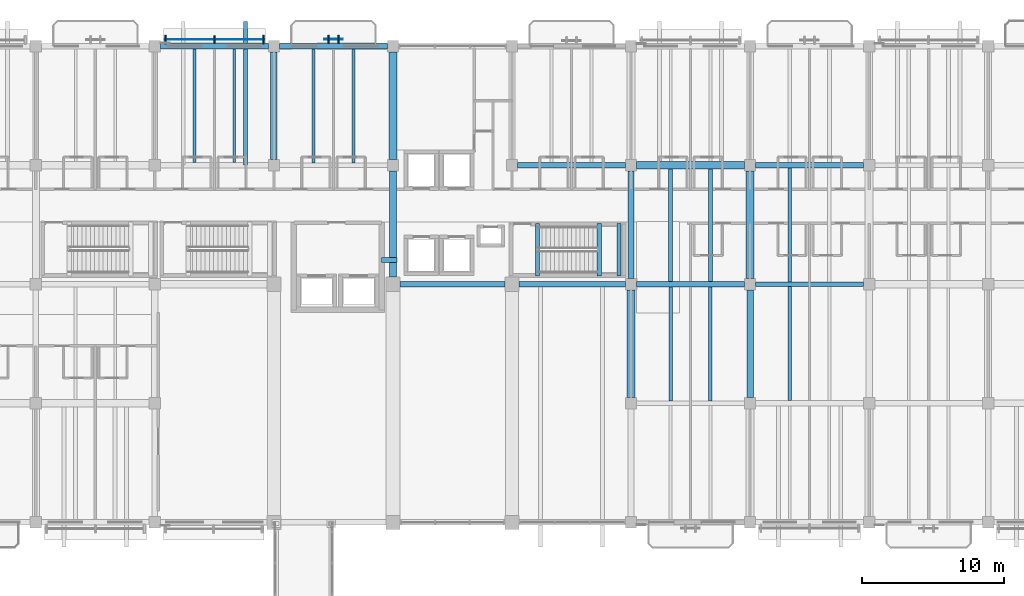
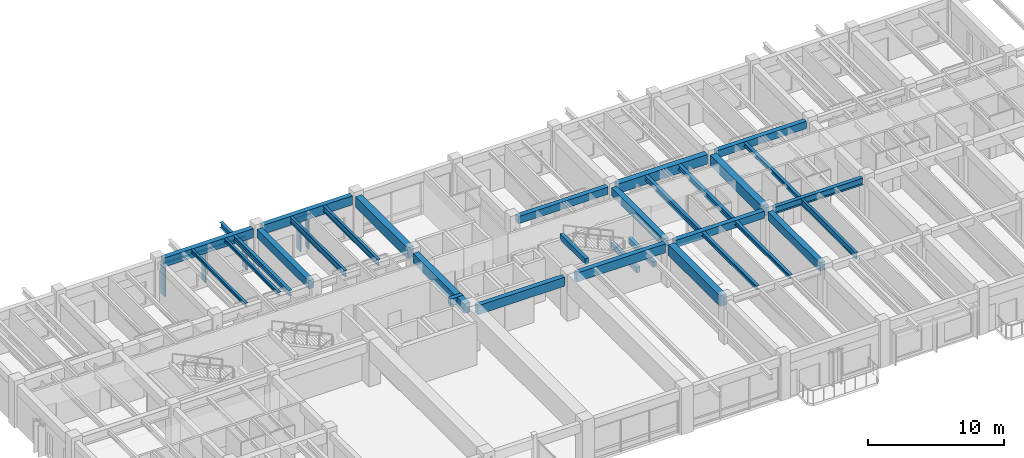
# One storey, part 44 of 132: 31 beams, 7 members, 2 elements without a shape of their own.
"""IFC4 building model written with IfcOpenShell, lengths in metres."""

from ifc_helpers import new_model, si_unit, direction, frame, origin, origin_2d, place, context, subcontext, project, spatial, rectangle, i_section, extrude, material, material_profile, profile_set, type_object, element, aggregate, save


model = new_model("IFC4")

# Units and contexts
model_context = context("Model", 3, precision=1e-05, world=origin(), true_north=direction((0.0, 1.0)))
body_context = subcontext(model_context, "Body", "Model", "MODEL_VIEW")
ifc_project = project(units=[si_unit("LENGTHUNIT", "METRE"), si_unit("AREAUNIT", "SQUARE_METRE"), si_unit("VOLUMEUNIT", "CUBIC_METRE"), si_unit("PLANEANGLEUNIT", "RADIAN"), si_unit("MASSUNIT", "GRAM", prefix="KILO")], contexts=[model_context])

# Site, building, storey
site_placement = place(None, origin())
site = spatial("IfcSite", under=ifc_project, at=site_placement, CompositionType="ELEMENT")
building_placement = place(site_placement, origin())
building = spatial("IfcBuilding", under=site, at=building_placement, Name="Cumbredor Promenade Congress Hotel", CompositionType="ELEMENT")
storey_placement = place(building_placement, frame((0.0, 0.0, 7.56005859375)))
storey = spatial("IfcBuildingStorey", under=building, at=storey_placement, Name="L02", CompositionType="ELEMENT", Elevation=7.56005859375)

# Beams
ifc_material_1 = material(Name="Concrete C40/50", Category="concrete")
ifc_material_profile_1 = material_profile(ifc_material_1, rectangle(XDim=0.39990234375, YDim=0.64990234375, at=origin_2d()), Name="RC BEAM 400x650")
ifc_profile_set_1 = profile_set([ifc_material_profile_1], Name="Concrete C40/50")
beam_type_1 = type_object("IfcBeamType", Name="BM-RC-400x650", PredefinedType="BEAM", material=ifc_profile_set_1)
beam_1_placement = place(storey_placement, frame((42.39990234375, 109.199951171875, 3.474853515625), z_axis=(1.0, 0.0, 0.0), x_axis=(0.0, 1.0, 0.0)))
element("IfcBeam", 1, at=beam_1_placement, inside=storey, type_object=beam_type_1, Name="L03 X-Grid Beam 076", PredefinedType="BEAM", context=body_context, shape_type="SweptSolid", body=[
    extrude(rectangle(XDim=0.39990234375, YDim=0.64990234375, at=origin_2d()), origin(), (0.0, 0.0, 1.0), 7.60009765625),
])
beam_2_placement = place(storey_placement, frame((50.800048828125, 100.800048828125, 3.474853515625), z_axis=(1.0, 0.0, 0.0), x_axis=(0.0, 1.0, 0.0)))
element("IfcBeam", 2, at=beam_2_placement, inside=storey, type_object=beam_type_1, Name="L03 X-Grid Beam 088", PredefinedType="BEAM", context=body_context, shape_type="SweptSolid", body=[
    extrude(rectangle(XDim=0.39990234375, YDim=0.64990234375, at=origin_2d()), origin(), (0.0, 0.0, 1.0), 7.599853515625),
])
beam_3_placement = place(storey_placement, frame((59.199951171875, 109.199951171875, 3.474853515625), z_axis=(1.0, 0.0, 0.0), x_axis=(0.0, 1.0, 0.0)))
element("IfcBeam", 3, at=beam_3_placement, inside=storey, type_object=beam_type_1, Name="L03 X-Grid Beam 112", PredefinedType="BEAM", context=body_context, shape_type="SweptSolid", body=[
    extrude(rectangle(XDim=0.39990234375, YDim=0.64990234375, at=origin_2d()), origin(), (0.0, 0.0, 1.0), 7.60009765625),
])
ifc_material_profile_2 = material_profile(ifc_material_1, rectangle(XDim=0.449951171875, YDim=0.75, at=origin_2d()), Name="RC BEAM 450x750")
ifc_profile_set_2 = profile_set([ifc_material_profile_2], Name="Concrete C40/50")
beam_type_2 = type_object("IfcBeamType", Name="BM-RC-450x750", PredefinedType="BEAM", material=ifc_profile_set_2)
beam_4_placement = place(storey_placement, frame((25.199951171875, 109.60009765625, 3.425048828125), z_axis=(0.0, 1.0, 0.0), x_axis=(-1.0, 0.0, 0.0)))
element("IfcBeam", 4, at=beam_4_placement, inside=storey, type_object=beam_type_2, Name="L03 Y-Grid Beam 057", PredefinedType="BEAM", context=body_context, shape_type="SweptSolid", body=[
    extrude(rectangle(XDim=0.449951171875, YDim=0.75, at=origin_2d()), origin(), (0.0, 0.0, 1.0), 7.599853515625),
])
beam_5_placement = place(storey_placement, frame((50.39990234375, 101.199951171875, 3.425048828125), z_axis=(0.0, 1.0, 0.0), x_axis=(-1.0, 0.0, 0.0)))
element("IfcBeam", 5, at=beam_5_placement, inside=storey, type_object=beam_type_2, Name="L03 Y-Grid Beam 089", PredefinedType="BEAM", context=body_context, shape_type="SweptSolid", body=[
    extrude(rectangle(XDim=0.449951171875, YDim=0.75, at=origin_2d()), origin(), (0.0, 0.0, 1.0), 7.60009765625),
])
beam_6_placement = place(storey_placement, frame((58.800048828125, 92.800048828125, 3.425048828125), z_axis=(0.0, 1.0, 0.0), x_axis=(-1.0, 0.0, 0.0)))
element("IfcBeam", 6, at=beam_6_placement, inside=storey, type_object=beam_type_2, Name="L03 Y-Grid Beam 109", PredefinedType="BEAM", context=body_context, shape_type="SweptSolid", body=[
    extrude(rectangle(XDim=0.449951171875, YDim=0.75, at=origin_2d()), origin(), (0.0, 0.0, 1.0), 7.599853515625),
])
ifc_material_profile_3 = material_profile(ifc_material_1, rectangle(XDim=0.5, YDim=0.85009765625, at=origin_2d()), Name="RC BEAM 500x850")
ifc_profile_set_3 = profile_set([ifc_material_profile_3], Name="Concrete C40/50")
beam_type_3 = type_object("IfcBeamType", Name="BM-RC-500x850", PredefinedType="BEAM", material=ifc_profile_set_3)
beam_7_placement = place(storey_placement, frame((33.60009765625, 101.300048828125, 3.375), z_axis=(0.0, 1.0, 0.0), x_axis=(-1.0, 0.0, 0.0)))
element("IfcBeam", 7, at=beam_7_placement, inside=storey, type_object=beam_type_3, Name="L03 Y-Grid Beam 066", PredefinedType="BEAM", context=body_context, shape_type="SweptSolid", body=[
    extrude(rectangle(XDim=0.5, YDim=0.85009765625, at=origin_2d()), origin(), (0.0, 0.0, 1.0), 7.5),
])
beam_8_placement = place(storey_placement, frame((50.800048828125, 109.199951171875, 3.375), z_axis=(1.0, 0.0, 0.0), x_axis=(0.0, 1.0, 0.0)))
element("IfcBeam", 8, at=beam_8_placement, inside=storey, type_object=beam_type_3, Name="L03 X-Grid Beam 090", PredefinedType="BEAM", context=body_context, shape_type="SweptSolid", body=[
    extrude(rectangle(XDim=0.5, YDim=0.85009765625, at=origin_2d()), origin(), (0.0, 0.0, 1.0), 7.599853515625),
])
ifc_material_profile_4 = material_profile(ifc_material_1, rectangle(XDim=0.550048828125, YDim=0.949951171875, at=origin_2d()), Name="RC BEAM 550x950")
ifc_profile_set_4 = profile_set([ifc_material_profile_4], Name="Concrete C40/50")
beam_type_4 = type_object("IfcBeamType", Name="BM-RC-550x950", PredefinedType="BEAM", material=ifc_profile_set_4)
for number, where, z_axis, x_axis, name in (
    (9, (33.60009765625, 109.60009765625, 3.324951171875), (0.0, 1.0, 0.0), (-1.0, 0.0, 0.0), "L03 Y-Grid Beam 067"),
    (10, (50.39990234375, 92.800048828125, 3.324951171875), (0.0, 1.0, 0.0), (-1.0, 0.0, 0.0), "L03 Y-Grid Beam 087"),
):
    element("IfcBeam", number, at=place(storey_placement, frame(where, z_axis=z_axis, x_axis=x_axis)), inside=storey, type_object=beam_type_4, Name=name, PredefinedType="BEAM", context=body_context, shape_type="SweptSolid", body=[
        extrude(rectangle(XDim=0.550048828125, YDim=0.949951171875, at=origin_2d()), origin(), (0.0, 0.0, 1.0), 7.599853515625),
    ])
beam_9_placement = place(storey_placement, frame((58.800048828125, 101.199951171875, 3.324951171875), z_axis=(0.0, 1.0, 0.0), x_axis=(-1.0, 0.0, 0.0)))
element("IfcBeam", 11, at=beam_9_placement, inside=storey, type_object=beam_type_4, Name="L03 Y-Grid Beam 111", PredefinedType="BEAM", context=body_context, shape_type="SweptSolid", body=[
    extrude(rectangle(XDim=0.550048828125, YDim=0.949951171875, at=origin_2d()), origin(), (0.0, 0.0, 1.0), 7.60009765625),
])
ifc_material_2 = material(Name="Steel ASTM A992 Grade 50", Category="steel")
ifc_material_profile_5 = material_profile(ifc_material_2, i_section(OverallWidth=0.323974609375, OverallDepth=0.611083984375, WebThickness=0.0126953125, FlangeThickness=0.01904296875, at=origin_2d()), Name="W24X104")
ifc_profile_set_5 = profile_set([ifc_material_profile_5], Name="Steel ASTM A992 Grade 50")
beam_type_5 = type_object("IfcBeamType", Name="BM-W24X104", PredefinedType="BEAM", material=ifc_profile_set_5)
beam_10_placement = place(storey_placement, frame((59.199951171875, 100.800048828125, 3.494384765625), z_axis=(1.0, 0.0, 0.0), x_axis=(0.0, 1.0, 0.0)))
element("IfcBeam", 12, at=beam_10_placement, inside=storey, type_object=beam_type_5, Name="L03 X-Grid Beam 110", PredefinedType="BEAM", context=body_context, shape_type="SweptSolid", body=[
    extrude(i_section(OverallWidth=0.323974609375, OverallDepth=0.611083984375, WebThickness=0.0126953125, FlangeThickness=0.01904296875, at=origin_2d()), origin(), (0.0, 0.0, 1.0), 7.60009765625),
])

# Curtain wall, member
ifc_material_3 = material(Name="Thermally broken anodized aluminium and low-E glass", Category="aluminium")
curtain_wall_type = type_object("IfcCurtainWallType", Name="Solar Brise-Soleil Screen Assembly CW-07", PredefinedType="NOTDEFINED", material=ifc_material_3)
curtain_wall_1_placement = place(storey_placement, origin())
curtain_wall_1 = element("IfcCurtainWall", 13, at=curtain_wall_1_placement, inside=storey, type_object=curtain_wall_type, Name="L02 Hospitality Brise-Soleil Screen 044", PredefinedType="NOTDEFINED")
ifc_material_4 = material(Name="Thermally broken anodized aluminium", Category="aluminium")
ifc_material_profile_6 = material_profile(ifc_material_4, rectangle(XDim=0.06494140625, YDim=0.1298828125, at=origin_2d()), Name="ALU TRANSOM 65x130")
ifc_profile_set_6 = profile_set([ifc_material_profile_6], Name="Thermally broken anodized aluminium")
member_type_1 = type_object("IfcMemberType", Name="Curtain Wall Transom TR-01", PredefinedType="USERDEFINED", material=ifc_profile_set_6)
member_1_placement = place(storey_placement, frame((17.5009765625, 118.072509765625, 2.804931640625), z_axis=(1.0, 0.0, 0.0), x_axis=(0.0, 1.0, 0.0)))
member_1 = element("IfcMember", 14, at=member_1_placement, type_object=member_type_1, Name="L02 Brise-Soleil Screen Transom 044", ObjectType="TRANSOM", PredefinedType="USERDEFINED", context=body_context, shape_type="SweptSolid", body=[
    extrude(rectangle(XDim=0.06494140625, YDim=0.1298828125, at=origin_2d()), origin(), (0.0, 0.0, 1.0), 6.998046875),
])

curtain_wall_2_placement = place(storey_placement, origin())
curtain_wall_2 = element("IfcCurtainWall", 15, at=curtain_wall_2_placement, inside=storey, type_object=curtain_wall_type, Name="L02 Veranda Solar Brise-Soleil Screen 481", PredefinedType="NOTDEFINED")
member_2_placement = place(storey_placement, frame((28.75, 118.0849609375, 2.905029296875), z_axis=(1.0, 0.0, 0.0), x_axis=(0.0, 1.0, 0.0)))
member_2 = element("IfcMember", 16, at=member_2_placement, type_object=member_type_1, Name="L02 Brise-Soleil Header Tie 0483", ObjectType="TRANSOM", PredefinedType="USERDEFINED", context=body_context, shape_type="SweptSolid", body=[
    extrude(rectangle(XDim=0.06494140625, YDim=0.1298828125, at=origin_2d()), origin(), (0.0, 0.0, 1.0), 1.300048828125),
])

# Beams
ifc_material_profile_7 = material_profile(ifc_material_2, i_section(OverallWidth=0.202880859375, OverallDepth=0.302978515625, WebThickness=0.007568359375, FlangeThickness=0.01318359375, at=origin_2d()), Name="W12X40")
ifc_profile_set_7 = profile_set([ifc_material_profile_7], Name="Steel ASTM A992 Grade 50")
beam_type_6 = type_object("IfcBeamType", Name="JST-W12X40", PredefinedType="JOIST", material=ifc_profile_set_7)
for number, where, z_axis, x_axis, name in (
    (17, (19.60009765625, 109.39990234375, 3.6484375), (0.0, 1.0, 0.0), (-1.0, 0.0, 0.0), "L03 Secondary Floor Joist 0026"),
    (18, (22.39990234375, 109.39990234375, 3.6484375), (0.0, 1.0, 0.0), (-1.0, 0.0, 0.0), "L03 Secondary Floor Joist 0027"),
):
    element("IfcBeam", number, at=place(storey_placement, frame(where, z_axis=z_axis, x_axis=x_axis)), inside=storey, type_object=beam_type_6, Name=name, PredefinedType="JOIST", context=body_context, shape_type="SweptSolid", body=[
        extrude(i_section(OverallWidth=0.202880859375, OverallDepth=0.302978515625, WebThickness=0.007568359375, FlangeThickness=0.01318359375, at=origin_2d()), origin(), (0.0, 0.0, 1.0), 8.0),
    ])
ifc_material_profile_8 = material_profile(ifc_material_2, i_section(OverallWidth=0.2548828125, OverallDepth=0.35693359375, WebThickness=0.010498046875, FlangeThickness=0.018310546875, at=origin_2d()), Name="W14X68")
ifc_profile_set_8 = profile_set([ifc_material_profile_8], Name="Steel ASTM A992 Grade 50")
beam_type_7 = type_object("IfcBeamType", Name="JST-W14X68", PredefinedType="JOIST", material=ifc_profile_set_8)
for number, where, z_axis, x_axis, name in (
    (19, (53.199951171875, 92.56201171875, 3.621337890625), (0.0, 1.0, 0.0), (-1.0, 0.0, 0.0), "L03 Secondary Floor Joist 0042"),
    (20, (56.0, 92.56201171875, 3.621337890625), (0.0, 1.0, 0.0), (-1.0, 0.0, 0.0), "L03 Secondary Floor Joist 0043"),
    (21, (61.60009765625, 100.9619140625, 3.621337890625), (0.0, 1.0, 0.0), (-1.0, 0.0, 0.0), "L03 Secondary Floor Joist 0062"),
):
    element("IfcBeam", number, at=place(storey_placement, frame(where, z_axis=z_axis, x_axis=x_axis)), inside=storey, type_object=beam_type_7, Name=name, PredefinedType="JOIST", context=body_context, shape_type="SweptSolid", body=[
        extrude(i_section(OverallWidth=0.2548828125, OverallDepth=0.35693359375, WebThickness=0.010498046875, FlangeThickness=0.018310546875, at=origin_2d()), origin(), (0.0, 0.0, 1.0), 8.0380859375),
    ])
ifc_material_profile_9 = material_profile(ifc_material_2, i_section(OverallWidth=0.280029296875, OverallDepth=0.462890625, WebThickness=0.0107421875, FlangeThickness=0.017333984375, at=origin_2d()), Name="W18X76")
ifc_profile_set_9 = profile_set([ifc_material_profile_9], Name="Steel ASTM A992 Grade 50")
beam_type_8 = type_object("IfcBeamType", Name="JST-W18X76", PredefinedType="JOIST", material=ifc_profile_set_9)
beam_11_placement = place(storey_placement, frame((23.199951171875, 109.199951171875, 3.568359375), z_axis=(0.0, 1.0, 0.0), x_axis=(-1.0, 0.0, 0.0)))
element("IfcBeam", 22, at=beam_11_placement, inside=storey, type_object=beam_type_8, Name="L03 Balcony Back-Spanned Outrigger Beam 013.2", PredefinedType="JOIST", context=body_context, shape_type="SweptSolid", body=[
    extrude(i_section(OverallWidth=0.280029296875, OverallDepth=0.462890625, WebThickness=0.0107421875, FlangeThickness=0.017333984375, at=origin_2d()), origin(), (0.0, 0.0, 1.0), 10.150146484375),
])
for number, where, z_axis, x_axis, name in (
    (23, (53.199951171875, 101.0, 3.568359375), (0.0, 1.0, 0.0), (-1.0, 0.0, 0.0), "L03 Secondary Floor Joist 0044"),
    (24, (56.0, 101.0, 3.568359375), (0.0, 1.0, 0.0), (-1.0, 0.0, 0.0), "L03 Secondary Floor Joist 0045"),
):
    element("IfcBeam", number, at=place(storey_placement, frame(where, z_axis=z_axis, x_axis=x_axis)), inside=storey, type_object=beam_type_8, Name=name, PredefinedType="JOIST", context=body_context, shape_type="SweptSolid", body=[
        extrude(i_section(OverallWidth=0.280029296875, OverallDepth=0.462890625, WebThickness=0.0107421875, FlangeThickness=0.017333984375, at=origin_2d()), origin(), (0.0, 0.0, 1.0), 7.949951171875),
    ])
ifc_material_profile_10 = material_profile(ifc_material_2, i_section(OverallWidth=0.214111328125, OverallDepth=0.549072265625, WebThickness=0.0146484375, FlangeThickness=0.023681640625, at=origin_2d()), Name="W21X93")
ifc_profile_set_10 = profile_set([ifc_material_profile_10], Name="Steel ASTM A992 Grade 50")
beam_type_9 = type_object("IfcBeamType", Name="JST-W21X93", PredefinedType="JOIST", material=ifc_profile_set_10)
for number, where, z_axis, x_axis, name in (
    (25, (28.0, 109.362060546875, 3.525390625), (0.0, 1.0, 0.0), (-1.0, 0.0, 0.0), "L03 Secondary Floor Joist 0030"),
    (26, (30.800048828125, 109.362060546875, 3.525390625), (0.0, 1.0, 0.0), (-1.0, 0.0, 0.0), "L03 Secondary Floor Joist 0031"),
    (27, (61.60009765625, 92.60009765625, 3.525390625), (0.0, 1.0, 0.0), (-1.0, 0.0, 0.0), "L03 Secondary Floor Joist 0060"),
):
    element("IfcBeam", number, at=place(storey_placement, frame(where, z_axis=z_axis, x_axis=x_axis)), inside=storey, type_object=beam_type_9, Name=name, PredefinedType="JOIST", context=body_context, shape_type="SweptSolid", body=[
        extrude(i_section(OverallWidth=0.214111328125, OverallDepth=0.549072265625, WebThickness=0.0146484375, FlangeThickness=0.023681640625, at=origin_2d()), origin(), (0.0, 0.0, 1.0), 8.037841796875),
    ])
ifc_material_profile_11 = material_profile(ifc_material_1, rectangle(XDim=0.300048828125, YDim=0.5, at=origin_2d()), Name="RC LINTEL 300x500")
ifc_profile_set_11 = profile_set([ifc_material_profile_11], Name="Concrete C40/50")
beam_type_10 = type_object("IfcBeamType", Name="LN-RC-300x500", PredefinedType="LINTEL", material=ifc_profile_set_11)
for number, where, z_axis, x_axis, name in (
    (28, (49.550048828125, 101.3701171875, 1.64990234375), (0.0, 1.0, 0.0), (-1.0, 0.0, 0.0), "L02 Stair ST-03 Landing Ledger Beam E"),
    (29, (48.14990234375, 101.3701171875, 1.64990234375), (0.0, 1.0, 0.0), (-1.0, 0.0, 0.0), "L02 Stair ST-03 Landing Ledger Beam W"),
    (30, (43.800048828125, 101.3701171875, 3.949951171875), (0.0, 1.0, 0.0), (-1.0, 0.0, 0.0), "L03 Stair ST-03 Well Header Trimmer Beam"),
):
    element("IfcBeam", number, at=place(storey_placement, frame(where, z_axis=z_axis, x_axis=x_axis)), inside=storey, type_object=beam_type_10, Name=name, PredefinedType="LINTEL", context=body_context, shape_type="SweptSolid", body=[
        extrude(rectangle(XDim=0.300048828125, YDim=0.5, at=origin_2d()), origin(), (0.0, 0.0, 1.0), 3.72998046875),
    ])
ifc_material_profile_12 = material_profile(ifc_material_1, rectangle(XDim=0.35009765625, YDim=0.60009765625, at=origin_2d()), Name="RC LINTEL 350x600")
ifc_profile_set_12 = profile_set([ifc_material_profile_12], Name="Concrete C40/50")
beam_type_11 = type_object("IfcBeamType", Name="LN-RC-350x600", PredefinedType="LINTEL", material=ifc_profile_set_12)
beam_12_placement = place(storey_placement, frame((32.800048828125, 102.5, 3.5), z_axis=(1.0, 0.0, 0.0), x_axis=(0.0, 1.0, 0.0)))
element("IfcBeam", 31, at=beam_12_placement, inside=storey, type_object=beam_type_11, Name="L02 Core Coupling Lintel Beam", PredefinedType="LINTEL", context=body_context, shape_type="SweptSolid", body=[
    extrude(rectangle(XDim=0.35009765625, YDim=0.60009765625, at=origin_2d()), origin(), (0.0, 0.0, 1.0), 1.099853515625),
])
ifc_material_profile_13 = material_profile(ifc_material_1, rectangle(XDim=0.39990234375, YDim=0.800048828125, at=origin_2d()), Name="RC SPANDREL 400x800")
ifc_profile_set_13 = profile_set([ifc_material_profile_13], Name="Concrete C40/50")
beam_type_12 = type_object("IfcBeamType", Name="SP-RC-400x800", PredefinedType="SPANDREL", material=ifc_profile_set_13)
beam_13_placement = place(storey_placement, frame((17.199951171875, 117.60009765625, 3.39990234375), z_axis=(1.0, 0.0, 0.0), x_axis=(0.0, 1.0, 0.0)))
element("IfcBeam", 32, at=beam_13_placement, inside=storey, type_object=beam_type_12, Name="L03 X-Grid Beam 049", PredefinedType="SPANDREL", context=body_context, shape_type="SweptSolid", body=[
    extrude(rectangle(XDim=0.39990234375, YDim=0.800048828125, at=origin_2d()), origin(), (0.0, 0.0, 1.0), 7.60009765625),
])
beam_14_placement = place(storey_placement, frame((25.60009765625, 117.60009765625, 3.39990234375), z_axis=(1.0, 0.0, 0.0), x_axis=(0.0, 1.0, 0.0)))
element("IfcBeam", 33, at=beam_14_placement, inside=storey, type_object=beam_type_12, Name="L03 X-Grid Beam 058", PredefinedType="SPANDREL", context=body_context, shape_type="SweptSolid", body=[
    extrude(rectangle(XDim=0.39990234375, YDim=0.800048828125, at=origin_2d()), origin(), (0.0, 0.0, 1.0), 7.599853515625),
])
beam_15_placement = place(storey_placement, frame((34.10009765625, 100.800048828125, 3.39990234375), z_axis=(1.0, 0.0, 0.0), x_axis=(0.0, 1.0, 0.0)))
element("IfcBeam", 34, at=beam_15_placement, inside=storey, type_object=beam_type_12, Name="L03 X-Grid Beam 065", PredefinedType="SPANDREL", context=body_context, shape_type="SweptSolid", body=[
    extrude(rectangle(XDim=0.39990234375, YDim=0.800048828125, at=origin_2d()), origin(), (0.0, 0.0, 1.0), 7.39990234375),
])
beam_16_placement = place(storey_placement, frame((42.5, 100.800048828125, 3.39990234375), z_axis=(1.0, 0.0, 0.0), x_axis=(0.0, 1.0, 0.0)))
element("IfcBeam", 35, at=beam_16_placement, inside=storey, type_object=beam_type_12, Name="L03 X-Grid Beam 075", PredefinedType="SPANDREL", context=body_context, shape_type="SweptSolid", body=[
    extrude(rectangle(XDim=0.39990234375, YDim=0.800048828125, at=origin_2d()), origin(), (0.0, 0.0, 1.0), 7.5),
])

# Member
ifc_material_profile_14 = material_profile(ifc_material_4, rectangle(XDim=0.110107421875, YDim=0.6201171875, at=origin_2d()), Name="ARCH FIN 110x620")
ifc_profile_set_14 = profile_set([ifc_material_profile_14], Name="Thermally broken anodized aluminium")
member_type_2 = type_object("IfcMemberType", Name="Vertical Bronze Brise-Soleil Fin BSF-02 110x620", PredefinedType="USERDEFINED", material=ifc_profile_set_14)
member_3_placement = place(storey_placement, frame((17.551025390625, 118.072509765625, 0.02001953125), z_axis=(0.0, 0.0, 1.0), x_axis=(1.0, 0.0, 0.0)))
member_3 = element("IfcMember", 36, at=member_3_placement, type_object=member_type_2, Name="L02 Vertical Brise-Soleil Fin 0478", ObjectType="SOLAR FIN", PredefinedType="USERDEFINED", context=body_context, shape_type="SweptSolid", body=[
    extrude(rectangle(XDim=0.110107421875, YDim=0.6201171875, at=origin_2d()), origin(), (0.0, 0.0, 1.0), 2.844970703125),
])

member_4_placement = place(storey_placement, frame((24.448974609375, 118.072509765625, 0.02001953125), z_axis=(0.0, 0.0, 1.0), x_axis=(1.0, 0.0, 0.0)))
member_4 = element("IfcMember", 37, at=member_4_placement, type_object=member_type_2, Name="L02 Vertical Brise-Soleil Fin 0480", ObjectType="SOLAR FIN", PredefinedType="USERDEFINED", context=body_context, shape_type="SweptSolid", body=[
    extrude(rectangle(XDim=0.110107421875, YDim=0.6201171875, at=origin_2d()), origin(), (0.0, 0.0, 1.0), 2.844970703125),
])

ifc_material_5 = material(Name="Kiln-dried tropical hardwood", Category="wood")
ifc_material_profile_15 = material_profile(ifc_material_5, rectangle(XDim=0.090087890625, YDim=0.550048828125, at=origin_2d()), Name="ARCH FIN 90x550")
ifc_profile_set_15 = profile_set([ifc_material_profile_15], Name="Kiln-dried tropical hardwood")
member_type_3 = type_object("IfcMemberType", Name="Vertical Hardwood Brise-Soleil Fin BSF-01 90x550", PredefinedType="USERDEFINED", material=ifc_profile_set_15)
member_5_placement = place(storey_placement, frame((21.0, 118.072509765625, 0.02001953125), z_axis=(0.0, 0.0, 1.0), x_axis=(1.0, 0.0, 0.0)))
member_5 = element("IfcMember", 38, at=member_5_placement, type_object=member_type_3, Name="L02 Vertical Brise-Soleil Fin 0479", ObjectType="SOLAR FIN", PredefinedType="USERDEFINED", context=body_context, shape_type="SweptSolid", body=[
    extrude(rectangle(XDim=0.090087890625, YDim=0.550048828125, at=origin_2d()), origin(), (0.0, 0.0, 1.0), 2.844970703125),
])

aggregate(curtain_wall_1, [member_1, member_3, member_5, member_4])

member_6_placement = place(storey_placement, frame((29.050048828125, 118.0849609375, -0.010009765625), z_axis=(0.0, 0.0, 1.0), x_axis=(1.0, 0.0, 0.0)))
member_6 = element("IfcMember", 39, at=member_6_placement, type_object=member_type_3, Name="L02 Vertical Hardwood Brise-Soleil Fin 0482", ObjectType="SOLAR FIN", PredefinedType="USERDEFINED", context=body_context, shape_type="SweptSolid", body=[
    extrude(rectangle(XDim=0.090087890625, YDim=0.550048828125, at=origin_2d()), origin(), (0.0, 0.0, 1.0), 2.974853515625),
])

member_7_placement = place(storey_placement, frame((29.75, 118.0849609375, -0.010009765625), z_axis=(0.0, 0.0, 1.0), x_axis=(1.0, 0.0, 0.0)))
member_7 = element("IfcMember", 40, at=member_7_placement, type_object=member_type_3, Name="L02 Vertical Hardwood Brise-Soleil Fin 0483", ObjectType="SOLAR FIN", PredefinedType="USERDEFINED", context=body_context, shape_type="SweptSolid", body=[
    extrude(rectangle(XDim=0.090087890625, YDim=0.550048828125, at=origin_2d()), origin(), (0.0, 0.0, 1.0), 2.974853515625),
])

aggregate(curtain_wall_2, [member_6, member_7, member_2])

save(model, "model.ifc")
